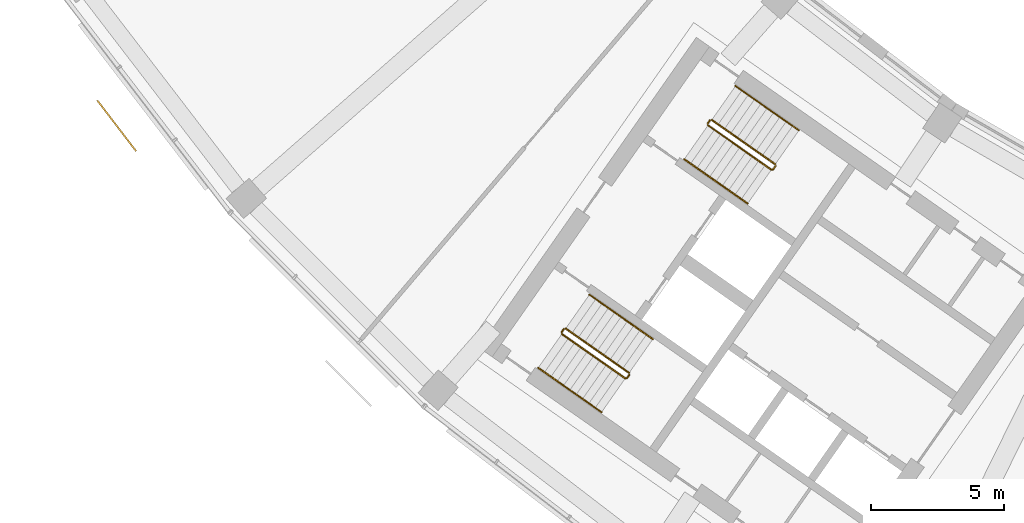
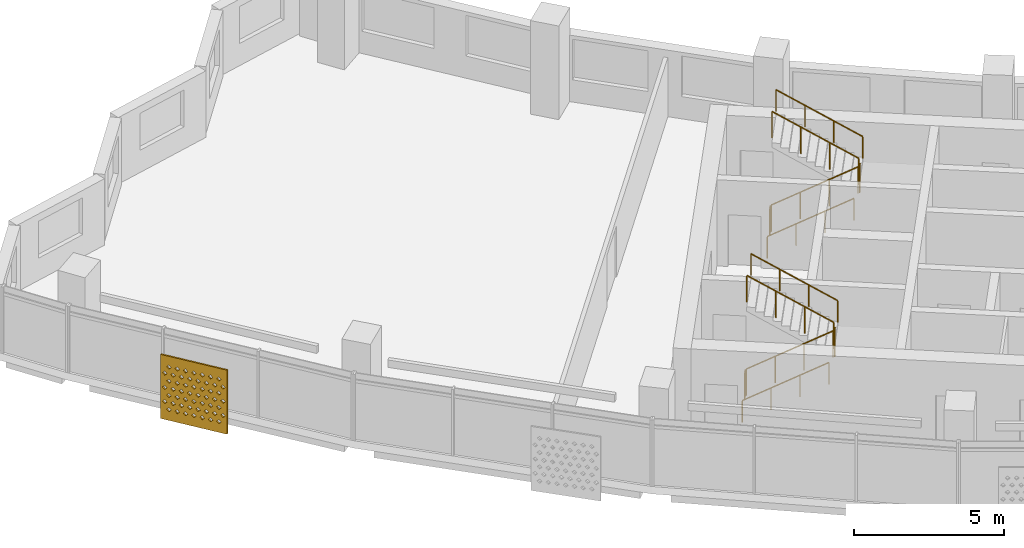
# One storey, part 24 of 28: 10 railings, 1 shading device.
"""IFC4 building model written with IfcOpenShell, lengths in metres."""

from ifc_helpers import new_model, si_unit, direction, frame, origin, origin_2d, place, context, subcontext, project, spatial, polyline, circle, outline, extrude, material, material_profile, profile_set, type_object, element, save


model = new_model("IFC4")

# Units and contexts
model_context = context("Model", 3, precision=1e-05, world=origin(), true_north=direction((0.0, 1.0)))
body_context = subcontext(model_context, "Body", "Model", "MODEL_VIEW")
ifc_project = project(units=[si_unit("LENGTHUNIT", "METRE"), si_unit("AREAUNIT", "SQUARE_METRE"), si_unit("VOLUMEUNIT", "CUBIC_METRE"), si_unit("PLANEANGLEUNIT", "RADIAN"), si_unit("MASSUNIT", "GRAM", prefix="KILO")], contexts=[model_context])

# Site, building, storey
site_placement = place(None, origin())
site = spatial("IfcSite", under=ifc_project, at=site_placement, CompositionType="ELEMENT")
building_placement = place(site_placement, origin())
building = spatial("IfcBuilding", under=site, at=building_placement, Name="Qamariyya Broadcast Tower", CompositionType="ELEMENT")
storey_placement = place(building_placement, frame((0.0, 0.0, 230.300048828125)))
storey = spatial("IfcBuildingStorey", under=building, at=storey_placement, Name="L55", CompositionType="ELEMENT", Elevation=230.300048828125)

# Shading device
ifc_material_1 = material(Name="Perforated glazed terracotta", Category="masonry")
ifc_material_profile = material_profile(ifc_material_1, outline(polyline([(-1.199951171875, -1.300048828125), (1.199951171875, -1.300048828125), (1.199951171875, 1.300048828125), (-1.199951171875, 1.300048828125), (-1.199951171875, -1.300048828125)]), holes=[polyline([(-0.81494140625, -0.86669921875), (-0.89990234375, -0.78173828125), (-0.985107421875, -0.86669921875), (-0.89990234375, -0.95166015625), (-0.81494140625, -0.86669921875)]), polyline([(-0.514892578125, -0.86669921875), (-0.60009765625, -0.78173828125), (-0.68505859375, -0.86669921875), (-0.60009765625, -0.95166015625), (-0.514892578125, -0.86669921875)]), polyline([(-0.215087890625, -0.86669921875), (-0.300048828125, -0.78173828125), (-0.385009765625, -0.86669921875), (-0.300048828125, -0.95166015625), (-0.215087890625, -0.86669921875)]), polyline([(0.0849609375, -0.86669921875), (0.0, -0.78173828125), (-0.0849609375, -0.86669921875), (0.0, -0.95166015625), (0.0849609375, -0.86669921875)]), polyline([(0.385009765625, -0.86669921875), (0.300048828125, -0.78173828125), (0.215087890625, -0.86669921875), (0.300048828125, -0.95166015625), (0.385009765625, -0.86669921875)]), polyline([(0.68505859375, -0.86669921875), (0.60009765625, -0.78173828125), (0.514892578125, -0.86669921875), (0.60009765625, -0.95166015625), (0.68505859375, -0.86669921875)]), polyline([(0.985107421875, -0.86669921875), (0.89990234375, -0.78173828125), (0.81494140625, -0.86669921875), (0.89990234375, -0.95166015625), (0.985107421875, -0.86669921875)]), polyline([(-0.965087890625, -0.577880859375), (-1.050048828125, -0.49267578125), (-1.135009765625, -0.577880859375), (-1.050048828125, -0.662841796875), (-0.965087890625, -0.577880859375)]), polyline([(-0.6650390625, -0.577880859375), (-0.75, -0.49267578125), (-0.8349609375, -0.577880859375), (-0.75, -0.662841796875), (-0.6650390625, -0.577880859375)]), polyline([(-0.364990234375, -0.577880859375), (-0.449951171875, -0.49267578125), (-0.534912109375, -0.577880859375), (-0.449951171875, -0.662841796875), (-0.364990234375, -0.577880859375)]), polyline([(-0.06494140625, -0.577880859375), (-0.14990234375, -0.49267578125), (-0.235107421875, -0.577880859375), (-0.14990234375, -0.662841796875), (-0.06494140625, -0.577880859375)]), polyline([(0.235107421875, -0.577880859375), (0.14990234375, -0.49267578125), (0.06494140625, -0.577880859375), (0.14990234375, -0.662841796875), (0.235107421875, -0.577880859375)]), polyline([(0.534912109375, -0.577880859375), (0.449951171875, -0.49267578125), (0.364990234375, -0.577880859375), (0.449951171875, -0.662841796875), (0.534912109375, -0.577880859375)]), polyline([(0.8349609375, -0.577880859375), (0.75, -0.49267578125), (0.6650390625, -0.577880859375), (0.75, -0.662841796875), (0.8349609375, -0.577880859375)]), polyline([(1.135009765625, -0.577880859375), (1.050048828125, -0.49267578125), (0.965087890625, -0.577880859375), (1.050048828125, -0.662841796875), (1.135009765625, -0.577880859375)]), polyline([(-0.81494140625, -0.288818359375), (-0.89990234375, -0.203857421875), (-0.985107421875, -0.288818359375), (-0.89990234375, -0.373779296875), (-0.81494140625, -0.288818359375)]), polyline([(-0.514892578125, -0.288818359375), (-0.60009765625, -0.203857421875), (-0.68505859375, -0.288818359375), (-0.60009765625, -0.373779296875), (-0.514892578125, -0.288818359375)]), polyline([(-0.215087890625, -0.288818359375), (-0.300048828125, -0.203857421875), (-0.385009765625, -0.288818359375), (-0.300048828125, -0.373779296875), (-0.215087890625, -0.288818359375)]), polyline([(0.0849609375, -0.288818359375), (0.0, -0.203857421875), (-0.0849609375, -0.288818359375), (0.0, -0.373779296875), (0.0849609375, -0.288818359375)]), polyline([(0.385009765625, -0.288818359375), (0.300048828125, -0.203857421875), (0.215087890625, -0.288818359375), (0.300048828125, -0.373779296875), (0.385009765625, -0.288818359375)]), polyline([(0.68505859375, -0.288818359375), (0.60009765625, -0.203857421875), (0.514892578125, -0.288818359375), (0.60009765625, -0.373779296875), (0.68505859375, -0.288818359375)]), polyline([(0.985107421875, -0.288818359375), (0.89990234375, -0.203857421875), (0.81494140625, -0.288818359375), (0.89990234375, -0.373779296875), (0.985107421875, -0.288818359375)]), polyline([(-0.965087890625, 0.0), (-1.050048828125, 0.0849609375), (-1.135009765625, 0.0), (-1.050048828125, -0.0849609375), (-0.965087890625, 0.0)]), polyline([(-0.6650390625, 0.0), (-0.75, 0.0849609375), (-0.8349609375, 0.0), (-0.75, -0.0849609375), (-0.6650390625, 0.0)]), polyline([(-0.364990234375, 0.0), (-0.449951171875, 0.0849609375), (-0.534912109375, 0.0), (-0.449951171875, -0.0849609375), (-0.364990234375, 0.0)]), polyline([(-0.06494140625, 0.0), (-0.14990234375, 0.0849609375), (-0.235107421875, 0.0), (-0.14990234375, -0.0849609375), (-0.06494140625, 0.0)]), polyline([(0.235107421875, 0.0), (0.14990234375, 0.0849609375), (0.06494140625, 0.0), (0.14990234375, -0.0849609375), (0.235107421875, 0.0)]), polyline([(0.534912109375, 0.0), (0.449951171875, 0.0849609375), (0.364990234375, 0.0), (0.449951171875, -0.0849609375), (0.534912109375, 0.0)]), polyline([(0.8349609375, 0.0), (0.75, 0.0849609375), (0.6650390625, 0.0), (0.75, -0.0849609375), (0.8349609375, 0.0)]), polyline([(1.135009765625, 0.0), (1.050048828125, 0.0849609375), (0.965087890625, 0.0), (1.050048828125, -0.0849609375), (1.135009765625, 0.0)]), polyline([(-0.81494140625, 0.288818359375), (-0.89990234375, 0.373779296875), (-0.985107421875, 0.288818359375), (-0.89990234375, 0.203857421875), (-0.81494140625, 0.288818359375)]), polyline([(-0.514892578125, 0.288818359375), (-0.60009765625, 0.373779296875), (-0.68505859375, 0.288818359375), (-0.60009765625, 0.203857421875), (-0.514892578125, 0.288818359375)]), polyline([(-0.215087890625, 0.288818359375), (-0.300048828125, 0.373779296875), (-0.385009765625, 0.288818359375), (-0.300048828125, 0.203857421875), (-0.215087890625, 0.288818359375)]), polyline([(0.0849609375, 0.288818359375), (0.0, 0.373779296875), (-0.0849609375, 0.288818359375), (0.0, 0.203857421875), (0.0849609375, 0.288818359375)]), polyline([(0.385009765625, 0.288818359375), (0.300048828125, 0.373779296875), (0.215087890625, 0.288818359375), (0.300048828125, 0.203857421875), (0.385009765625, 0.288818359375)]), polyline([(0.68505859375, 0.288818359375), (0.60009765625, 0.373779296875), (0.514892578125, 0.288818359375), (0.60009765625, 0.203857421875), (0.68505859375, 0.288818359375)]), polyline([(0.985107421875, 0.288818359375), (0.89990234375, 0.373779296875), (0.81494140625, 0.288818359375), (0.89990234375, 0.203857421875), (0.985107421875, 0.288818359375)]), polyline([(-0.965087890625, 0.577880859375), (-1.050048828125, 0.662841796875), (-1.135009765625, 0.577880859375), (-1.050048828125, 0.49267578125), (-0.965087890625, 0.577880859375)]), polyline([(-0.6650390625, 0.577880859375), (-0.75, 0.662841796875), (-0.8349609375, 0.577880859375), (-0.75, 0.49267578125), (-0.6650390625, 0.577880859375)]), polyline([(-0.364990234375, 0.577880859375), (-0.449951171875, 0.662841796875), (-0.534912109375, 0.577880859375), (-0.449951171875, 0.49267578125), (-0.364990234375, 0.577880859375)]), polyline([(-0.06494140625, 0.577880859375), (-0.14990234375, 0.662841796875), (-0.235107421875, 0.577880859375), (-0.14990234375, 0.49267578125), (-0.06494140625, 0.577880859375)]), polyline([(0.235107421875, 0.577880859375), (0.14990234375, 0.662841796875), (0.06494140625, 0.577880859375), (0.14990234375, 0.49267578125), (0.235107421875, 0.577880859375)]), polyline([(0.534912109375, 0.577880859375), (0.449951171875, 0.662841796875), (0.364990234375, 0.577880859375), (0.449951171875, 0.49267578125), (0.534912109375, 0.577880859375)]), polyline([(0.8349609375, 0.577880859375), (0.75, 0.662841796875), (0.6650390625, 0.577880859375), (0.75, 0.49267578125), (0.8349609375, 0.577880859375)]), polyline([(1.135009765625, 0.577880859375), (1.050048828125, 0.662841796875), (0.965087890625, 0.577880859375), (1.050048828125, 0.49267578125), (1.135009765625, 0.577880859375)]), polyline([(-0.81494140625, 0.86669921875), (-0.89990234375, 0.95166015625), (-0.985107421875, 0.86669921875), (-0.89990234375, 0.78173828125), (-0.81494140625, 0.86669921875)]), polyline([(-0.514892578125, 0.86669921875), (-0.60009765625, 0.95166015625), (-0.68505859375, 0.86669921875), (-0.60009765625, 0.78173828125), (-0.514892578125, 0.86669921875)]), polyline([(-0.215087890625, 0.86669921875), (-0.300048828125, 0.95166015625), (-0.385009765625, 0.86669921875), (-0.300048828125, 0.78173828125), (-0.215087890625, 0.86669921875)]), polyline([(0.0849609375, 0.86669921875), (0.0, 0.95166015625), (-0.0849609375, 0.86669921875), (0.0, 0.78173828125), (0.0849609375, 0.86669921875)]), polyline([(0.385009765625, 0.86669921875), (0.300048828125, 0.95166015625), (0.215087890625, 0.86669921875), (0.300048828125, 0.78173828125), (0.385009765625, 0.86669921875)]), polyline([(0.68505859375, 0.86669921875), (0.60009765625, 0.95166015625), (0.514892578125, 0.86669921875), (0.60009765625, 0.78173828125), (0.68505859375, 0.86669921875)]), polyline([(0.985107421875, 0.86669921875), (0.89990234375, 0.95166015625), (0.81494140625, 0.86669921875), (0.89990234375, 0.78173828125), (0.985107421875, 0.86669921875)])]))
ifc_profile_set = profile_set([ifc_material_profile], Name="Perforated glazed terracotta")
shading_device_type = type_object("IfcShadingDeviceType", Name="Perforated terracotta screen 2400 x 2600", PredefinedType="USERDEFINED", material=ifc_profile_set)
shading_device_placement = place(storey_placement, frame((-63.293212890625, -48.521240234375, 1.349853515625), z_axis=(-0.794589096806, -0.607147566278, 0.0), x_axis=(0.607147566278, -0.794589096806, 0.0)))
element("IfcShadingDevice", 1, at=shading_device_placement, inside=storey, type_object=shading_device_type, Name="e-scr-L55-01-1", ObjectType="SCREEN", PredefinedType="USERDEFINED", context=body_context, shape_type="SweptSolid", body=[
    extrude(outline(polyline([(-1.199951171875, -1.300048828125), (1.199951171875, -1.300048828125), (1.199951171875, 1.300048828125), (-1.199951171875, 1.300048828125), (-1.199951171875, -1.300048828125)]), holes=[polyline([(-0.81494140625, -0.86669921875), (-0.89990234375, -0.78173828125), (-0.985107421875, -0.86669921875), (-0.89990234375, -0.95166015625), (-0.81494140625, -0.86669921875)]), polyline([(-0.514892578125, -0.86669921875), (-0.60009765625, -0.78173828125), (-0.68505859375, -0.86669921875), (-0.60009765625, -0.95166015625), (-0.514892578125, -0.86669921875)]), polyline([(-0.215087890625, -0.86669921875), (-0.300048828125, -0.78173828125), (-0.385009765625, -0.86669921875), (-0.300048828125, -0.95166015625), (-0.215087890625, -0.86669921875)]), polyline([(0.0849609375, -0.86669921875), (0.0, -0.78173828125), (-0.0849609375, -0.86669921875), (0.0, -0.95166015625), (0.0849609375, -0.86669921875)]), polyline([(0.385009765625, -0.86669921875), (0.300048828125, -0.78173828125), (0.215087890625, -0.86669921875), (0.300048828125, -0.95166015625), (0.385009765625, -0.86669921875)]), polyline([(0.68505859375, -0.86669921875), (0.60009765625, -0.78173828125), (0.514892578125, -0.86669921875), (0.60009765625, -0.95166015625), (0.68505859375, -0.86669921875)]), polyline([(0.985107421875, -0.86669921875), (0.89990234375, -0.78173828125), (0.81494140625, -0.86669921875), (0.89990234375, -0.95166015625), (0.985107421875, -0.86669921875)]), polyline([(-0.965087890625, -0.577880859375), (-1.050048828125, -0.49267578125), (-1.135009765625, -0.577880859375), (-1.050048828125, -0.662841796875), (-0.965087890625, -0.577880859375)]), polyline([(-0.6650390625, -0.577880859375), (-0.75, -0.49267578125), (-0.8349609375, -0.577880859375), (-0.75, -0.662841796875), (-0.6650390625, -0.577880859375)]), polyline([(-0.364990234375, -0.577880859375), (-0.449951171875, -0.49267578125), (-0.534912109375, -0.577880859375), (-0.449951171875, -0.662841796875), (-0.364990234375, -0.577880859375)]), polyline([(-0.06494140625, -0.577880859375), (-0.14990234375, -0.49267578125), (-0.235107421875, -0.577880859375), (-0.14990234375, -0.662841796875), (-0.06494140625, -0.577880859375)]), polyline([(0.235107421875, -0.577880859375), (0.14990234375, -0.49267578125), (0.06494140625, -0.577880859375), (0.14990234375, -0.662841796875), (0.235107421875, -0.577880859375)]), polyline([(0.534912109375, -0.577880859375), (0.449951171875, -0.49267578125), (0.364990234375, -0.577880859375), (0.449951171875, -0.662841796875), (0.534912109375, -0.577880859375)]), polyline([(0.8349609375, -0.577880859375), (0.75, -0.49267578125), (0.6650390625, -0.577880859375), (0.75, -0.662841796875), (0.8349609375, -0.577880859375)]), polyline([(1.135009765625, -0.577880859375), (1.050048828125, -0.49267578125), (0.965087890625, -0.577880859375), (1.050048828125, -0.662841796875), (1.135009765625, -0.577880859375)]), polyline([(-0.81494140625, -0.288818359375), (-0.89990234375, -0.203857421875), (-0.985107421875, -0.288818359375), (-0.89990234375, -0.373779296875), (-0.81494140625, -0.288818359375)]), polyline([(-0.514892578125, -0.288818359375), (-0.60009765625, -0.203857421875), (-0.68505859375, -0.288818359375), (-0.60009765625, -0.373779296875), (-0.514892578125, -0.288818359375)]), polyline([(-0.215087890625, -0.288818359375), (-0.300048828125, -0.203857421875), (-0.385009765625, -0.288818359375), (-0.300048828125, -0.373779296875), (-0.215087890625, -0.288818359375)]), polyline([(0.0849609375, -0.288818359375), (0.0, -0.203857421875), (-0.0849609375, -0.288818359375), (0.0, -0.373779296875), (0.0849609375, -0.288818359375)]), polyline([(0.385009765625, -0.288818359375), (0.300048828125, -0.203857421875), (0.215087890625, -0.288818359375), (0.300048828125, -0.373779296875), (0.385009765625, -0.288818359375)]), polyline([(0.68505859375, -0.288818359375), (0.60009765625, -0.203857421875), (0.514892578125, -0.288818359375), (0.60009765625, -0.373779296875), (0.68505859375, -0.288818359375)]), polyline([(0.985107421875, -0.288818359375), (0.89990234375, -0.203857421875), (0.81494140625, -0.288818359375), (0.89990234375, -0.373779296875), (0.985107421875, -0.288818359375)]), polyline([(-0.965087890625, 0.0), (-1.050048828125, 0.0849609375), (-1.135009765625, 0.0), (-1.050048828125, -0.0849609375), (-0.965087890625, 0.0)]), polyline([(-0.6650390625, 0.0), (-0.75, 0.0849609375), (-0.8349609375, 0.0), (-0.75, -0.0849609375), (-0.6650390625, 0.0)]), polyline([(-0.364990234375, 0.0), (-0.449951171875, 0.0849609375), (-0.534912109375, 0.0), (-0.449951171875, -0.0849609375), (-0.364990234375, 0.0)]), polyline([(-0.06494140625, 0.0), (-0.14990234375, 0.0849609375), (-0.235107421875, 0.0), (-0.14990234375, -0.0849609375), (-0.06494140625, 0.0)]), polyline([(0.235107421875, 0.0), (0.14990234375, 0.0849609375), (0.06494140625, 0.0), (0.14990234375, -0.0849609375), (0.235107421875, 0.0)]), polyline([(0.534912109375, 0.0), (0.449951171875, 0.0849609375), (0.364990234375, 0.0), (0.449951171875, -0.0849609375), (0.534912109375, 0.0)]), polyline([(0.8349609375, 0.0), (0.75, 0.0849609375), (0.6650390625, 0.0), (0.75, -0.0849609375), (0.8349609375, 0.0)]), polyline([(1.135009765625, 0.0), (1.050048828125, 0.0849609375), (0.965087890625, 0.0), (1.050048828125, -0.0849609375), (1.135009765625, 0.0)]), polyline([(-0.81494140625, 0.288818359375), (-0.89990234375, 0.373779296875), (-0.985107421875, 0.288818359375), (-0.89990234375, 0.203857421875), (-0.81494140625, 0.288818359375)]), polyline([(-0.514892578125, 0.288818359375), (-0.60009765625, 0.373779296875), (-0.68505859375, 0.288818359375), (-0.60009765625, 0.203857421875), (-0.514892578125, 0.288818359375)]), polyline([(-0.215087890625, 0.288818359375), (-0.300048828125, 0.373779296875), (-0.385009765625, 0.288818359375), (-0.300048828125, 0.203857421875), (-0.215087890625, 0.288818359375)]), polyline([(0.0849609375, 0.288818359375), (0.0, 0.373779296875), (-0.0849609375, 0.288818359375), (0.0, 0.203857421875), (0.0849609375, 0.288818359375)]), polyline([(0.385009765625, 0.288818359375), (0.300048828125, 0.373779296875), (0.215087890625, 0.288818359375), (0.300048828125, 0.203857421875), (0.385009765625, 0.288818359375)]), polyline([(0.68505859375, 0.288818359375), (0.60009765625, 0.373779296875), (0.514892578125, 0.288818359375), (0.60009765625, 0.203857421875), (0.68505859375, 0.288818359375)]), polyline([(0.985107421875, 0.288818359375), (0.89990234375, 0.373779296875), (0.81494140625, 0.288818359375), (0.89990234375, 0.203857421875), (0.985107421875, 0.288818359375)]), polyline([(-0.965087890625, 0.577880859375), (-1.050048828125, 0.662841796875), (-1.135009765625, 0.577880859375), (-1.050048828125, 0.49267578125), (-0.965087890625, 0.577880859375)]), polyline([(-0.6650390625, 0.577880859375), (-0.75, 0.662841796875), (-0.8349609375, 0.577880859375), (-0.75, 0.49267578125), (-0.6650390625, 0.577880859375)]), polyline([(-0.364990234375, 0.577880859375), (-0.449951171875, 0.662841796875), (-0.534912109375, 0.577880859375), (-0.449951171875, 0.49267578125), (-0.364990234375, 0.577880859375)]), polyline([(-0.06494140625, 0.577880859375), (-0.14990234375, 0.662841796875), (-0.235107421875, 0.577880859375), (-0.14990234375, 0.49267578125), (-0.06494140625, 0.577880859375)]), polyline([(0.235107421875, 0.577880859375), (0.14990234375, 0.662841796875), (0.06494140625, 0.577880859375), (0.14990234375, 0.49267578125), (0.235107421875, 0.577880859375)]), polyline([(0.534912109375, 0.577880859375), (0.449951171875, 0.662841796875), (0.364990234375, 0.577880859375), (0.449951171875, 0.49267578125), (0.534912109375, 0.577880859375)]), polyline([(0.8349609375, 0.577880859375), (0.75, 0.662841796875), (0.6650390625, 0.577880859375), (0.75, 0.49267578125), (0.8349609375, 0.577880859375)]), polyline([(1.135009765625, 0.577880859375), (1.050048828125, 0.662841796875), (0.965087890625, 0.577880859375), (1.050048828125, 0.49267578125), (1.135009765625, 0.577880859375)]), polyline([(-0.81494140625, 0.86669921875), (-0.89990234375, 0.95166015625), (-0.985107421875, 0.86669921875), (-0.89990234375, 0.78173828125), (-0.81494140625, 0.86669921875)]), polyline([(-0.514892578125, 0.86669921875), (-0.60009765625, 0.95166015625), (-0.68505859375, 0.86669921875), (-0.60009765625, 0.78173828125), (-0.514892578125, 0.86669921875)]), polyline([(-0.215087890625, 0.86669921875), (-0.300048828125, 0.95166015625), (-0.385009765625, 0.86669921875), (-0.300048828125, 0.78173828125), (-0.215087890625, 0.86669921875)]), polyline([(0.0849609375, 0.86669921875), (0.0, 0.95166015625), (-0.0849609375, 0.86669921875), (0.0, 0.78173828125), (0.0849609375, 0.86669921875)]), polyline([(0.385009765625, 0.86669921875), (0.300048828125, 0.95166015625), (0.215087890625, 0.86669921875), (0.300048828125, 0.78173828125), (0.385009765625, 0.86669921875)]), polyline([(0.68505859375, 0.86669921875), (0.60009765625, 0.95166015625), (0.514892578125, 0.86669921875), (0.60009765625, 0.78173828125), (0.68505859375, 0.86669921875)]), polyline([(0.985107421875, 0.86669921875), (0.89990234375, 0.95166015625), (0.81494140625, 0.86669921875), (0.89990234375, 0.78173828125), (0.985107421875, 0.86669921875)])]), origin(), (0.0, 0.0, 1.0), 0.059814453125),
])

# Railings
ifc_material_2 = material(Name="Painted steel", Category="steel")
railing_type_1 = type_object("IfcRailingType", Name="Stair guard", PredefinedType="GUARDRAIL", material=ifc_material_2)
railing_1_placement = place(storey_placement, frame((-41.146728515625, -48.52490234375, 0.172607421875)))
element("IfcRailing", 2, at=railing_1_placement, inside=storey, type_object=railing_type_1, Name="L55 ST-W2 stair guard 1", PredefinedType="GUARDRAIL", context=body_context, shape_type="SweptSolid", body=[
    extrude(circle(Radius=0.02392578125, at=origin_2d()), frame((0.0, 0.0, 1.076171875), z_axis=(0.703770094002, -0.492783725636, 0.511734163933), x_axis=(0.573575343427, 0.819152809562, 0.0)), (0.0, 0.0, 1.0), 3.37548828125),
    extrude(circle(Radius=0.02392578125, at=origin_2d()), frame((2.37548828125, -1.663330078125, 2.80322265625), z_axis=(0.985059694769, 0.172213233351, 0.0), x_axis=(-0.172213233351, 0.985059694769, 0.0)), (0.0, 0.0, 1.0), 0.07080078125),
    extrude(circle(Radius=0.02392578125, at=origin_2d()), frame((2.4453125, -1.651123046875, 2.80322265625), z_axis=(0.572588637393, 0.819842821722, 0.0), x_axis=(-0.819842821722, 0.572588637393, 0.0)), (0.0, 0.0, 1.0), 0.150146484375),
    extrude(circle(Radius=0.02099609375, at=origin_2d()), origin(), (0.0, 0.0, 1.0), 1.052001953125),
    extrude(circle(Radius=0.02099609375, at=origin_2d()), frame((0.791748046875, -0.554443359375, 0.57568359375)), (0.0, 0.0, 1.0), 1.052001953125),
    extrude(circle(Radius=0.02099609375, at=origin_2d()), frame((1.583740234375, -1.10888671875, 1.151611328125)), (0.0, 0.0, 1.0), 1.052001953125),
    extrude(circle(Radius=0.02099609375, at=origin_2d()), frame((2.37548828125, -1.663330078125, 1.727294921875)), (0.0, 0.0, 1.0), 1.052001953125),
    extrude(circle(Radius=0.02099609375, at=origin_2d()), frame((2.4453125, -1.651123046875, 1.727294921875)), (0.0, 0.0, 1.0), 1.052001953125),
    extrude(circle(Radius=0.02099609375, at=origin_2d()), frame((2.53125, -1.528076171875, 1.727294921875)), (0.0, 0.0, 1.0), 1.052001953125),
])
railing_2_placement = place(storey_placement, frame((-38.627685546875, -49.9833984375, 2.07275390625)))
element("IfcRailing", 3, at=railing_2_placement, inside=storey, type_object=railing_type_1, Name="L55 ST-W2 stair guard 2", PredefinedType="GUARDRAIL", context=body_context, shape_type="SweptSolid", body=[
    extrude(circle(Radius=0.02392578125, at=origin_2d()), frame((0.0, 0.0, 1.076171875), z_axis=(-0.703770094002, 0.492783725636, 0.511734163933), x_axis=(-0.573575343427, -0.819152809562, 0.0)), (0.0, 0.0, 1.0), 3.37548828125),
    extrude(circle(Radius=0.02099609375, at=origin_2d()), origin(), (0.0, 0.0, 1.0), 1.052001953125),
    extrude(circle(Radius=0.02099609375, at=origin_2d()), frame((-0.791748046875, 0.554443359375, 0.57568359375)), (0.0, 0.0, 1.0), 1.052001953125),
    extrude(circle(Radius=0.02099609375, at=origin_2d()), frame((-1.583740234375, 1.10888671875, 1.151611328125)), (0.0, 0.0, 1.0), 1.052001953125),
    extrude(circle(Radius=0.02099609375, at=origin_2d()), frame((-2.37548828125, 1.663330078125, 1.727294921875)), (0.0, 0.0, 1.0), 1.052001953125),
])
railing_3_placement = place(storey_placement, frame((-41.158935546875, -48.455322265625, 0.0)))
element("IfcRailing", 4, at=railing_3_placement, inside=storey, type_object=railing_type_1, Name="L55 ST-W2 stair guard 3", PredefinedType="GUARDRAIL", context=body_context, shape_type="SweptSolid", body=[
    extrude(circle(Radius=0.02392578125, at=origin_2d()), frame((0.0, 0.0, 1.076171875), z_axis=(0.572588637393, 0.819842821722, 0.0), x_axis=(-0.819842821722, 0.572588637393, 0.0)), (0.0, 0.0, 1.0), 0.150146484375),
    extrude(circle(Radius=0.02099609375, at=origin_2d()), origin(), (0.0, 0.0, 1.0), 1.052001953125),
    extrude(circle(Radius=0.02099609375, at=origin_2d()), frame((0.0859375, 0.123046875, 0.0)), (0.0, 0.0, 1.0), 1.052001953125),
])
railing_4_placement = place(storey_placement, frame((-46.624267578125, -56.34765625, 0.172607421875)))
element("IfcRailing", 5, at=railing_4_placement, inside=storey, type_object=railing_type_1, Name="L55 ST-W1 stair guard 1", PredefinedType="GUARDRAIL", context=body_context, shape_type="SweptSolid", body=[
    extrude(circle(Radius=0.02392578125, at=origin_2d()), frame((0.0, 0.0, 1.076171875), z_axis=(0.703745009021, -0.492838488332, 0.511715923826), x_axis=(0.573631830683, 0.819113253969, 0.0)), (0.0, 0.0, 1.0), 3.37548828125),
    extrude(circle(Radius=0.02392578125, at=origin_2d()), frame((2.37548828125, -1.66357421875, 2.80322265625), z_axis=(0.984363469884, 0.176149252506, 0.0), x_axis=(-0.176149252506, 0.984363469884, 0.0)), (0.0, 0.0, 1.0), 0.07080078125),
    extrude(circle(Radius=0.02392578125, at=origin_2d()), frame((2.445068359375, -1.651123046875, 2.80322265625), z_axis=(0.574444878118, 0.818543268254, 0.0), x_axis=(-0.818543268254, 0.574444878118, 0.0)), (0.0, 0.0, 1.0), 0.150146484375),
    extrude(circle(Radius=0.02099609375, at=origin_2d()), origin(), (0.0, 0.0, 1.0), 1.052001953125),
    extrude(circle(Radius=0.02099609375, at=origin_2d()), frame((0.791748046875, -0.554443359375, 0.57568359375)), (0.0, 0.0, 1.0), 1.052001953125),
    extrude(circle(Radius=0.02099609375, at=origin_2d()), frame((1.583740234375, -1.109130859375, 1.151611328125)), (0.0, 0.0, 1.0), 1.052001953125),
    extrude(circle(Radius=0.02099609375, at=origin_2d()), frame((2.37548828125, -1.66357421875, 1.727294921875)), (0.0, 0.0, 1.0), 1.052001953125),
    extrude(circle(Radius=0.02099609375, at=origin_2d()), frame((2.445068359375, -1.651123046875, 1.727294921875)), (0.0, 0.0, 1.0), 1.052001953125),
    extrude(circle(Radius=0.02099609375, at=origin_2d()), frame((2.53125, -1.5283203125, 1.727294921875)), (0.0, 0.0, 1.0), 1.052001953125),
])
railing_5_placement = place(storey_placement, frame((-44.10546875, -57.806396484375, 2.07275390625)))
element("IfcRailing", 6, at=railing_5_placement, inside=storey, type_object=railing_type_1, Name="L55 ST-W1 stair guard 2", PredefinedType="GUARDRAIL", context=body_context, shape_type="SweptSolid", body=[
    extrude(circle(Radius=0.02392578125, at=origin_2d()), frame((0.0, 0.0, 1.076171875), z_axis=(-0.703770094002, 0.492783725636, 0.511734163933), x_axis=(-0.573575343427, -0.819152809562, 0.0)), (0.0, 0.0, 1.0), 3.37548828125),
    extrude(circle(Radius=0.02099609375, at=origin_2d()), origin(), (0.0, 0.0, 1.0), 1.052001953125),
    extrude(circle(Radius=0.02099609375, at=origin_2d()), frame((-0.791748046875, 0.554443359375, 0.57568359375)), (0.0, 0.0, 1.0), 1.052001953125),
    extrude(circle(Radius=0.02099609375, at=origin_2d()), frame((-1.583740234375, 1.10888671875, 1.151611328125)), (0.0, 0.0, 1.0), 1.052001953125),
    extrude(circle(Radius=0.02099609375, at=origin_2d()), frame((-2.37548828125, 1.663330078125, 1.727294921875)), (0.0, 0.0, 1.0), 1.052001953125),
])
railing_6_placement = place(storey_placement, frame((-46.63671875, -56.278076171875, 0.0)))
element("IfcRailing", 7, at=railing_6_placement, inside=storey, type_object=railing_type_1, Name="L55 ST-W1 stair guard 3", PredefinedType="GUARDRAIL", context=body_context, shape_type="SweptSolid", body=[
    extrude(circle(Radius=0.02392578125, at=origin_2d()), frame((0.0, 0.0, 1.076171875), z_axis=(0.574444878118, 0.818543268254, 0.0), x_axis=(-0.818543268254, 0.574444878118, 0.0)), (0.0, 0.0, 1.0), 0.150146484375),
    extrude(circle(Radius=0.02099609375, at=origin_2d()), origin(), (0.0, 0.0, 1.0), 1.052001953125),
    extrude(circle(Radius=0.02099609375, at=origin_2d()), frame((0.086181640625, 0.122802734375, 0.0)), (0.0, 0.0, 1.0), 1.052001953125),
])
ifc_material_3 = material(Name="Stainless steel", Category="steel")
railing_type_2 = type_object("IfcRailingType", Name="Stair handrail", PredefinedType="HANDRAIL", material=ifc_material_3)
railing_7_placement = place(storey_placement, frame((-42.03564453125, -49.79443359375, 0.172607421875)))
element("IfcRailing", 8, at=railing_7_placement, inside=storey, type_object=railing_type_2, Name="L55 ST-W2 stair handrail 1", PredefinedType="HANDRAIL", context=body_context, shape_type="SweptSolid", body=[
    extrude(circle(Radius=0.02392578125, at=origin_2d()), frame((0.0, 0.0, 0.8759765625), z_axis=(0.703745009021, -0.492838488332, 0.511715923826), x_axis=(0.573631830683, 0.819113253969, 0.0)), (0.0, 0.0, 1.0), 3.37548828125),
    extrude(circle(Radius=0.02099609375, at=origin_2d()), origin(), (0.0, 0.0, 1.0), 0.851806640625),
    extrude(circle(Radius=0.02099609375, at=origin_2d()), frame((0.791748046875, -0.554443359375, 0.57568359375)), (0.0, 0.0, 1.0), 0.851806640625),
    extrude(circle(Radius=0.02099609375, at=origin_2d()), frame((1.583740234375, -1.109130859375, 1.151611328125)), (0.0, 0.0, 1.0), 0.851806640625),
    extrude(circle(Radius=0.02099609375, at=origin_2d()), frame((2.37548828125, -1.66357421875, 1.727294921875)), (0.0, 0.0, 1.0), 0.851806640625),
])
railing_8_placement = place(storey_placement, frame((-37.73876953125, -48.7138671875, 2.07275390625)))
element("IfcRailing", 9, at=railing_8_placement, inside=storey, type_object=railing_type_2, Name="L55 ST-W2 stair handrail 2", PredefinedType="HANDRAIL", context=body_context, shape_type="SweptSolid", body=[
    extrude(circle(Radius=0.02392578125, at=origin_2d()), frame((0.0, 0.0, 0.8759765625), z_axis=(-0.703745009021, 0.492838488332, 0.511715923826), x_axis=(-0.573631830683, -0.819113253969, 0.0)), (0.0, 0.0, 1.0), 3.37548828125),
    extrude(circle(Radius=0.02099609375, at=origin_2d()), origin(), (0.0, 0.0, 1.0), 0.851806640625),
    extrude(circle(Radius=0.02099609375, at=origin_2d()), frame((-0.791748046875, 0.554443359375, 0.57568359375)), (0.0, 0.0, 1.0), 0.851806640625),
    extrude(circle(Radius=0.02099609375, at=origin_2d()), frame((-1.583740234375, 1.109130859375, 1.151611328125)), (0.0, 0.0, 1.0), 0.851806640625),
    extrude(circle(Radius=0.02099609375, at=origin_2d()), frame((-2.37548828125, 1.66357421875, 1.727294921875)), (0.0, 0.0, 1.0), 0.851806640625),
])
railing_9_placement = place(storey_placement, frame((-47.513427734375, -57.617431640625, 0.172607421875)))
element("IfcRailing", 10, at=railing_9_placement, inside=storey, type_object=railing_type_2, Name="L55 ST-W1 stair handrail 1", PredefinedType="HANDRAIL", context=body_context, shape_type="SweptSolid", body=[
    extrude(circle(Radius=0.02392578125, at=origin_2d()), frame((0.0, 0.0, 0.8759765625), z_axis=(0.703770094002, -0.492783725636, 0.511734163933), x_axis=(0.573575343427, 0.819152809562, 0.0)), (0.0, 0.0, 1.0), 3.37548828125),
    extrude(circle(Radius=0.02099609375, at=origin_2d()), origin(), (0.0, 0.0, 1.0), 0.851806640625),
    extrude(circle(Radius=0.02099609375, at=origin_2d()), frame((0.791748046875, -0.554443359375, 0.57568359375)), (0.0, 0.0, 1.0), 0.851806640625),
    extrude(circle(Radius=0.02099609375, at=origin_2d()), frame((1.583740234375, -1.10888671875, 1.151611328125)), (0.0, 0.0, 1.0), 0.851806640625),
    extrude(circle(Radius=0.02099609375, at=origin_2d()), frame((2.37548828125, -1.663330078125, 1.727294921875)), (0.0, 0.0, 1.0), 0.851806640625),
])
railing_10_placement = place(storey_placement, frame((-43.21630859375, -56.53662109375, 2.07275390625)))
element("IfcRailing", 11, at=railing_10_placement, inside=storey, type_object=railing_type_2, Name="L55 ST-W1 stair handrail 2", PredefinedType="HANDRAIL", context=body_context, shape_type="SweptSolid", body=[
    extrude(circle(Radius=0.02392578125, at=origin_2d()), frame((0.0, 0.0, 0.8759765625), z_axis=(-0.703770094002, 0.492783725636, 0.511734163933), x_axis=(-0.573575343427, -0.819152809562, 0.0)), (0.0, 0.0, 1.0), 3.37548828125),
    extrude(circle(Radius=0.02099609375, at=origin_2d()), origin(), (0.0, 0.0, 1.0), 0.851806640625),
    extrude(circle(Radius=0.02099609375, at=origin_2d()), frame((-0.791748046875, 0.554443359375, 0.57568359375)), (0.0, 0.0, 1.0), 0.851806640625),
    extrude(circle(Radius=0.02099609375, at=origin_2d()), frame((-1.583740234375, 1.10888671875, 1.151611328125)), (0.0, 0.0, 1.0), 0.851806640625),
    extrude(circle(Radius=0.02099609375, at=origin_2d()), frame((-2.37548828125, 1.663330078125, 1.727294921875)), (0.0, 0.0, 1.0), 0.851806640625),
])

save(model, "model.ifc")
